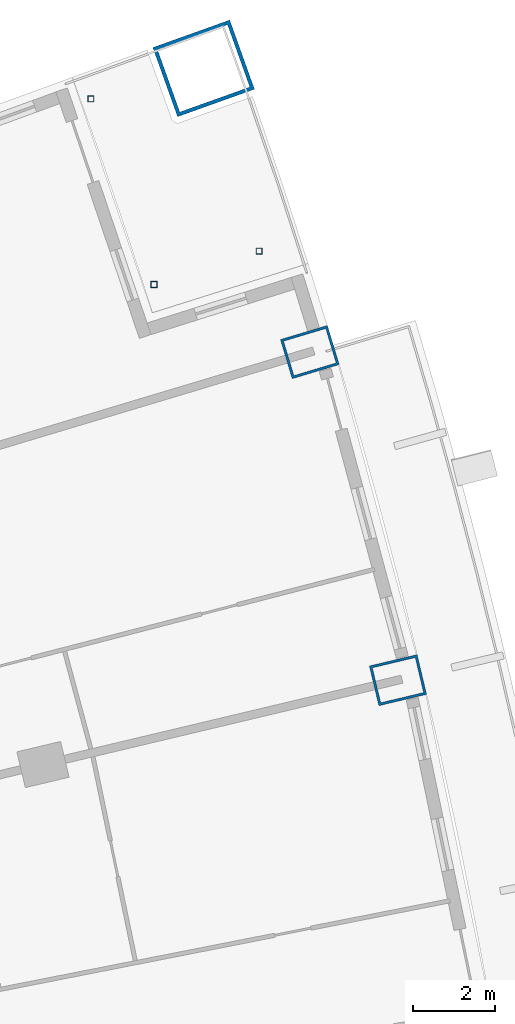
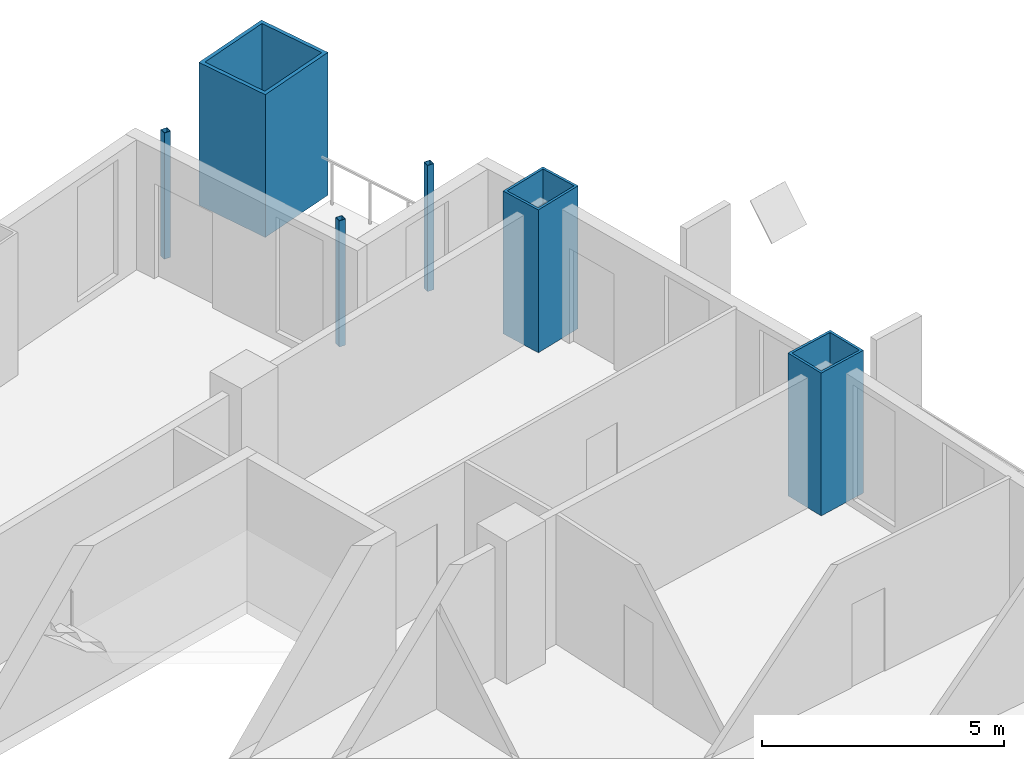
# One storey, part 11 of 25: 6 columns.
"""IFC4 building model written with IfcOpenShell, lengths in metres."""

from ifc_helpers import new_model, si_unit, direction, frame, origin, origin_2d, place, context, subcontext, project, spatial, hollow_rectangle, extrude, material, material_profile, profile_set, type_object, element, save


model = new_model("IFC4")

# Units and contexts
model_context = context("Model", 3, precision=1e-05, world=origin(), true_north=direction((0.0, 1.0)))
body_context = subcontext(model_context, "Body", "Model", "MODEL_VIEW")
ifc_project = project(units=[si_unit("LENGTHUNIT", "METRE"), si_unit("AREAUNIT", "SQUARE_METRE"), si_unit("VOLUMEUNIT", "CUBIC_METRE"), si_unit("PLANEANGLEUNIT", "RADIAN"), si_unit("MASSUNIT", "GRAM", prefix="KILO")], contexts=[model_context])

# Site, building, storey
site_placement = place(None, origin())
site = spatial("IfcSite", under=ifc_project, at=site_placement, CompositionType="ELEMENT")
building_placement = place(site_placement, origin())
building = spatial("IfcBuilding", under=site, at=building_placement, Name="Alderwake Tower", CompositionType="ELEMENT")
storey_placement = place(building_placement, frame((0.0, 0.0, 60.800048828125)))
storey = spatial("IfcBuildingStorey", under=building, at=storey_placement, Name="L14", CompositionType="ELEMENT", Elevation=60.800048828125)

# Columns
ifc_material_1 = material(Name="Steel ASTM A500 Grade C", Category="steel")
ifc_material_profile_1 = material_profile(ifc_material_1, hollow_rectangle(XDim=0.15234375, YDim=0.15234375, WallThickness=0.0087890625, at=origin_2d()), Name="HSS6X6X3/8")
ifc_profile_set_1 = profile_set([ifc_material_profile_1], Name="Steel ASTM A500 Grade C")
column_type_1 = type_object("IfcColumnType", Name="Light post HSS6X6X3/8", PredefinedType="COLUMN", material=ifc_profile_set_1)
for number, where, z_axis, x_axis, name in (
    (1, (55.33837890625, 104.475341796875, 0.0), (0.0, 0.0, 1.0), (1.0, 0.0, 0.0), "Terrace post FN1"),
    (2, (51.217041015625, 108.2060546875, 0.0), (0.0, 0.0, 1.0), (1.0, 0.0, 0.0), "Terrace post FN2"),
    (3, (52.76416015625, 103.661376953125, 0.0), (0.0, 0.0, 1.0), (1.0, 0.0, 0.0), "Terrace post FN3"),
):
    element("IfcColumn", number, at=place(storey_placement, frame(where, z_axis=z_axis, x_axis=x_axis)), inside=storey, type_object=column_type_1, Name=name, PredefinedType="COLUMN", context=body_context, shape_type="SweptSolid", body=[
        extrude(hollow_rectangle(XDim=0.15234375, YDim=0.15234375, WallThickness=0.0087890625, at=origin_2d()), origin(), (0.0, 0.0, 1.0), 3.179931640625),
    ])
ifc_material_2 = material(Name="Steel ASTM A572 Grade 50 concrete filled C70/85", Category="concrete")
ifc_material_profile_2 = material_profile(ifc_material_2, hollow_rectangle(XDim=1.800048828125, YDim=2.0, WallThickness=0.090087890625, at=origin_2d()), Name="BOX 2000X1800X90")
ifc_profile_set_2 = profile_set([ifc_material_profile_2], Name="Steel ASTM A572 Grade 50 concrete filled C70/85")
column_type_2 = type_object("IfcColumnType", Name="Mega column Z1", PredefinedType="COLUMN", material=ifc_profile_set_2)
column_placement = place(storey_placement, frame((53.97802734375, 108.94970703125, 0.0), z_axis=(0.0, 0.0, 1.0), x_axis=(-0.336962157792, 0.941518191123, 0.0)))
element("IfcColumn", 4, at=column_placement, inside=storey, type_object=column_type_2, Name="Column R13-C5", PredefinedType="COLUMN", context=body_context, shape_type="SweptSolid", body=[
    extrude(hollow_rectangle(XDim=1.800048828125, YDim=2.0, WallThickness=0.090087890625, at=origin_2d()), origin(), (0.0, 0.0, 1.0), 3.599853515625),
])
ifc_material_3 = material(Name="Steel ASTM A572 Grade 50 concrete filled C70/85", Category="concrete")
ifc_material_profile_3 = material_profile(ifc_material_3, hollow_rectangle(XDim=1.0, YDim=1.199951171875, WallThickness=0.06005859375, at=origin_2d()), Name="BOX 1200X1000X60")
ifc_profile_set_3 = profile_set([ifc_material_profile_3], Name="Steel ASTM A572 Grade 50 concrete filled C70/85")
column_type_3 = type_object("IfcColumnType", Name="Perimeter column Z1", PredefinedType="COLUMN", material=ifc_profile_set_3)
for number, where, z_axis, x_axis, name in (
    (5, (58.735595703125, 93.97216796875, 0.0), (0.0, 0.0, 1.0), (-0.231221547198, 0.972901123502, 0.0), "Column R11-C5"),
    (6, (56.577392578125, 102.00439453125, 0.0), (0.0, 0.0, 1.0), (-0.287549418125, 0.957765802342, 0.0), "Column R12-C5"),
):
    element("IfcColumn", number, at=place(storey_placement, frame(where, z_axis=z_axis, x_axis=x_axis)), inside=storey, type_object=column_type_3, Name=name, PredefinedType="COLUMN", context=body_context, shape_type="SweptSolid", body=[
        extrude(hollow_rectangle(XDim=1.0, YDim=1.199951171875, WallThickness=0.06005859375, at=origin_2d()), origin(), (0.0, 0.0, 1.0), 3.599853515625),
    ])

save(model, "model.ifc")
